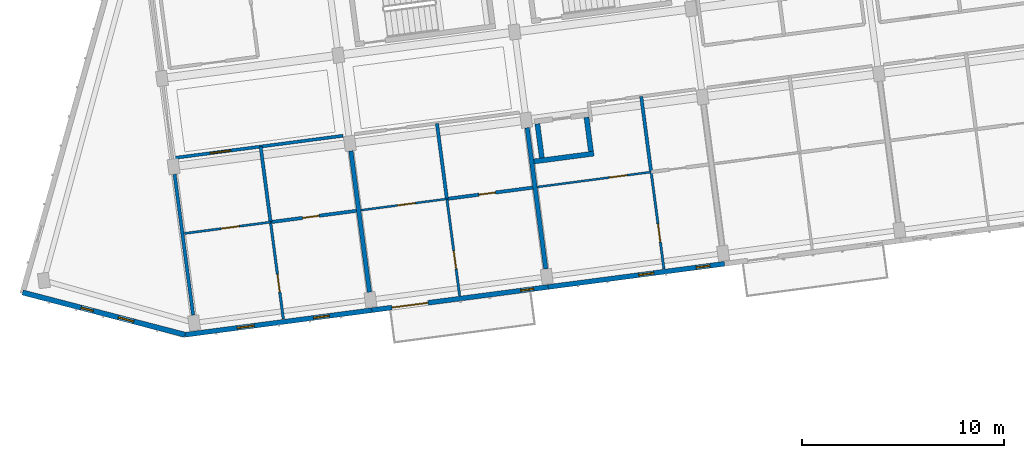
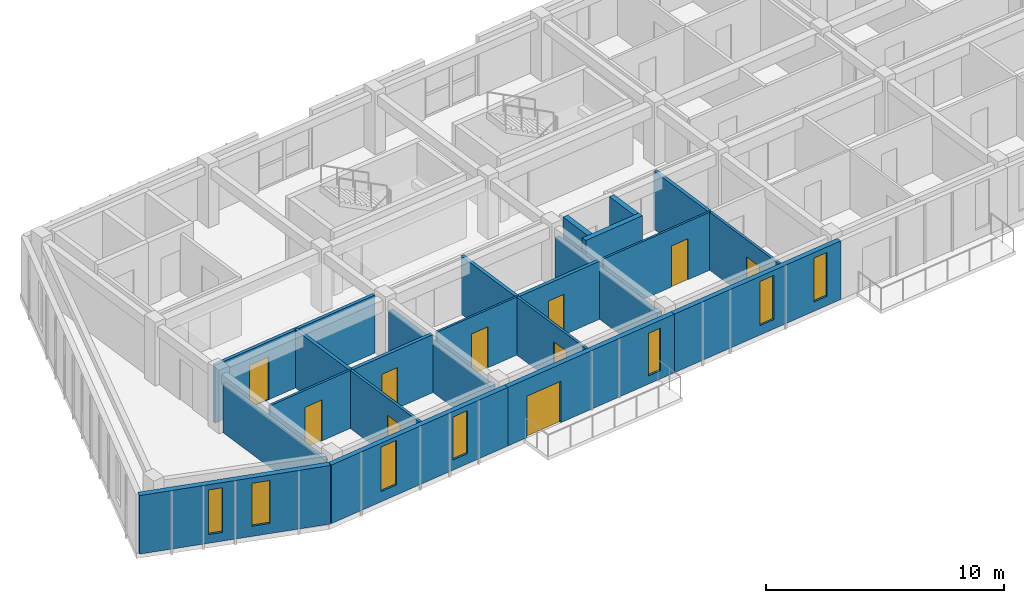
# One storey, part 21 of 68: 22 walls, 10 doors, 7 windows, 17 openings.
"""IFC4 building model written with IfcOpenShell, lengths in metres."""

import ifcopenshell
import ifcopenshell.guid

model = None  # the IFC model being written
_history = None  # IfcOwnerHistory: only IFC2X3 demands one
_inside = {}  # id of a spatial element -> (the spatial element, [elements in it])
_under = {}  # id of a project, library or spatial element -> (it, [spatial elements below it])
_declared = {}  # id of a project -> (the project, [libraries it declares])
_typed = {}  # id of a type object -> (the type object, [elements of that type])
_made_of = {}  # id of a material, layer set ... -> (it, [elements and type objects made of it])


def new_model(schema):
    """Start an empty IFC model of exactly this schema.

    Asked for "IFC4X3", IfcOpenShell would pick the latest addendum, in which some entities
    have other attributes; the version numbers below select the first issue.
    IFC2X3 requires an IfcOwnerHistory on every rooted entity: one is made here for all.
    """
    global model, _history
    if schema == "IFC4X3":
        model = ifcopenshell.file(schema_version=(4, 3, 0, 0))
    else:
        model = ifcopenshell.file(schema=schema)
    _inside.clear()
    _under.clear()
    _declared.clear()
    _typed.clear()
    _made_of.clear()
    _history = None
    if model.schema == "IFC2X3":
        org = make("IfcOrganization", Name="unknown")
        user = make(
            "IfcPersonAndOrganization",
            ThePerson=make("IfcPerson", FamilyName="unknown"),
            TheOrganization=org,
        )
        app = make(
            "IfcApplication",
            ApplicationDeveloper=org,
            Version="unknown",
            ApplicationFullName="unknown",
            ApplicationIdentifier="unknown",
        )
        _history = make(
            "IfcOwnerHistory",
            OwningUser=user,
            OwningApplication=app,
            ChangeAction="ADDED",
            CreationDate=0,
        )
    return model


def make(cls, **values):
    """One entity of the class cls with the attributes given. An attribute that is None is left unset."""
    return model.create_entity(
        cls, **{name: value for name, value in values.items() if value is not None}
    )


def rooted(cls, **values):
    """An entity with a GlobalId (a new one), such as an element, a storey or a relation."""
    return make(cls, GlobalId=ifcopenshell.guid.new(), OwnerHistory=_history, **values)


def si_unit(unit_type, name, prefix=None):
    """IfcSIUnit, for example si_unit("LENGTHUNIT", "METRE", prefix="MILLI")."""
    return make("IfcSIUnit", UnitType=unit_type, Prefix=prefix, Name=name)


def assignment(units):
    """IfcUnitAssignment: the units of a project."""
    return None if units is None else make("IfcUnitAssignment", Units=units)


def point(xyz):
    """IfcCartesianPoint."""
    return None if xyz is None else make("IfcCartesianPoint", Coordinates=xyz)


def direction(xyz):
    """IfcDirection."""
    return None if xyz is None else make("IfcDirection", DirectionRatios=xyz)


def frame(location, z_axis=None, x_axis=None):
    """IfcAxis2Placement3D, a coordinate frame: its origin and axes. An axis left out is left unset."""
    return make(
        "IfcAxis2Placement3D",
        Location=point(location),
        Axis=direction(z_axis),
        RefDirection=direction(x_axis),
    )


def frame_2d(location, x_axis=None):
    """IfcAxis2Placement2D, a coordinate frame in the plane: its origin and x axis."""
    return make(
        "IfcAxis2Placement2D", Location=point(location), RefDirection=direction(x_axis)
    )


def origin():
    """The frame at (0, 0, 0) with its axes left unset."""
    return frame((0.0, 0.0, 0.0))


def place(relative_to, where):
    """IfcLocalPlacement: puts the frame where relative to a parent placement (None: the world)."""
    return make(
        "IfcLocalPlacement", PlacementRelTo=relative_to, RelativePlacement=where
    )


def context(
    kind, dimensions, precision=None, world=None, true_north=None, identifier=None
):
    """IfcGeometricRepresentationContext, for example the 3D "Model" context."""
    return make(
        "IfcGeometricRepresentationContext",
        ContextIdentifier=identifier,
        ContextType=kind,
        CoordinateSpaceDimension=dimensions,
        Precision=precision,
        WorldCoordinateSystem=world,
        TrueNorth=true_north,
    )


def subcontext(parent, identifier, kind, view, scale=None):
    """IfcGeometricRepresentationSubContext, for example "Body" below "Model"."""
    return make(
        "IfcGeometricRepresentationSubContext",
        ContextIdentifier=identifier,
        ContextType=kind,
        ParentContext=parent,
        TargetScale=scale,
        TargetView=view,
    )


def project(units=None, contexts=None):
    """IfcProject with its units and contexts."""
    return rooted(
        "IfcProject",
        Name="project",
        RepresentationContexts=contexts,
        UnitsInContext=assignment(units),
    )


def spatial(cls, under=None, at=None, **own):
    """A site, building, storey or space (cls), placed at a placement, below another one or the project."""
    s = rooted(cls, ObjectPlacement=at, **own)
    if under is not None:
        _under.setdefault(under.id(), (under, []))[1].append(s)
    return s


def profile(cls, at=None, kind="AREA", **sizes):
    """A parametric profile (cls). Its sizes go by their IFC names, for example OverallWidth=200.0."""
    return make(cls, ProfileType=kind, Position=at, **sizes)


def rectangle(**sizes):
    """IfcRectangleProfileDef."""
    return profile("IfcRectangleProfileDef", **sizes)


def extrude(swept, where, along, depth):
    """IfcExtrudedAreaSolid: the profile swept, set in the frame where, extruded along a direction by depth."""
    return make(
        "IfcExtrudedAreaSolid",
        SweptArea=swept,
        Position=where,
        ExtrudedDirection=direction(along),
        Depth=depth,
    )


def shape(context_of_items, identifier, shape_type, items):
    """IfcShapeRepresentation: the items that make up one representation, for example the "Body"."""
    return make(
        "IfcShapeRepresentation",
        ContextOfItems=context_of_items,
        RepresentationIdentifier=identifier,
        RepresentationType=shape_type,
        Items=items,
    )


def material(Name=None, Category=None):
    """IfcMaterial."""
    return make("IfcMaterial", Name=Name, Category=Category)


def layer(
    of_material, thickness, ventilated=None, Name=None, Category=None, Priority=None
):
    """IfcMaterialLayer: one layer of a wall or slab, of a material (None: an air gap)."""
    return make(
        "IfcMaterialLayer",
        Material=of_material,
        LayerThickness=thickness,
        IsVentilated=ventilated,
        Name=Name,
        Category=Category,
        Priority=Priority,
    )


def layer_set(layers, Name=None):
    """IfcMaterialLayerSet."""
    return make("IfcMaterialLayerSet", MaterialLayers=layers, LayerSetName=Name)


def made_of(thing, what):
    """Note that an element or type object is made of a material, layer set ...; save() writes the relation."""
    if what is not None:
        _made_of.setdefault(what.id(), (what, []))[1].append(thing)
    return thing


def type_object(cls, material=None, **own):
    """A type object (cls), such as IfcWallType, which elements share."""
    return made_of(rooted(cls, **own), material)


def element(
    cls,
    number,
    at=None,
    inside=None,
    cuts=None,
    type_object=None,
    material=None,
    context=None,
    identifier="Body",
    shape_type=None,
    held_by="IfcProductDefinitionShape",
    body=None,
    shapes=None,
    **own,
):
    """One element of the class cls, such as IfcWall. Its Tag is "e" and its number.

    at: its placement. inside: the storey or other place that contains it. cuts: it is an
    opening in that element (IfcRelVoidsElement). A single representation is given by context,
    identifier, shape_type and body (its items); several are given by shapes. held_by: the class
    of the entity that holds the representations. save() writes the other relations.
    """
    e = rooted(cls, Tag="e%d" % number, ObjectPlacement=at, **own)
    if body is not None:
        shapes = [shape(context, identifier, shape_type, body)]
    if shapes is not None:
        e.Representation = make(held_by, Representations=shapes)
    if inside is not None:
        _inside.setdefault(inside.id(), (inside, []))[1].append(e)
    if cuts is not None:
        rooted(
            "IfcRelVoidsElement", RelatingBuildingElement=cuts, RelatedOpeningElement=e
        )
    if type_object is not None:
        _typed.setdefault(type_object.id(), (type_object, []))[1].append(e)
    return made_of(e, material)


def fill(opening, filler):
    """IfcRelFillsElement: the door or window that sits in an opening."""
    return rooted(
        "IfcRelFillsElement",
        RelatingOpeningElement=opening,
        RelatedBuildingElement=filler,
    )


def aggregate(whole, parts):
    """IfcRelAggregates: a whole, such as a stair, and the parts it consists of."""
    return rooted("IfcRelAggregates", RelatingObject=whole, RelatedObjects=parts)


def save(model, path):
    """Write the relations noted so far, then the file.

    IfcRelAggregates (storeys below a building ...), IfcRelContainedInSpatialStructure (elements
    in a storey), IfcRelDefinesByType, IfcRelAssociatesMaterial and IfcRelDeclares: one each for
    every whole, place, type object, material and project.
    """
    for whole, parts in _under.values():
        aggregate(whole, parts)
    for where, things in _inside.values():
        rooted(
            "IfcRelContainedInSpatialStructure",
            RelatedElements=things,
            RelatingStructure=where,
        )
    for kind, things in _typed.values():
        rooted("IfcRelDefinesByType", RelatedObjects=things, RelatingType=kind)
    for what, things in _made_of.values():
        rooted("IfcRelAssociatesMaterial", RelatedObjects=things, RelatingMaterial=what)
    for by, libraries in _declared.values():
        rooted("IfcRelDeclares", RelatingContext=by, RelatedDefinitions=libraries)
    model.write(path)


model = new_model("IFC4")

# Units and contexts
model_context = context("Model", 3, precision=1e-05, world=origin(), true_north=direction((0.0, 1.0)))
body_context = subcontext(model_context, "Body", "Model", "MODEL_VIEW")
ifc_project = project(units=[si_unit("LENGTHUNIT", "METRE"), si_unit("AREAUNIT", "SQUARE_METRE"), si_unit("VOLUMEUNIT", "CUBIC_METRE"), si_unit("PLANEANGLEUNIT", "RADIAN"), si_unit("MASSUNIT", "GRAM", prefix="KILO")], contexts=[model_context])

# Site, building, storey
site_placement = place(None, origin())
site = spatial("IfcSite", under=ifc_project, at=site_placement, CompositionType="ELEMENT")
building_placement = place(site_placement, origin())
building = spatial("IfcBuilding", under=site, at=building_placement, Name="Kestramere Prow Commons", CompositionType="ELEMENT")
storey_placement = place(building_placement, frame((0.0, 0.0, 18.14990234375)))
storey = spatial("IfcBuildingStorey", under=building, at=storey_placement, Name="L05", CompositionType="ELEMENT", Elevation=18.14990234375)

# Wall, openings, windows
ifc_material_1 = material(Name="Weathered Zinc-Titanium Standing-Seam Cladding")
ifc_layer_1 = layer(ifc_material_1, 0.260009765625)
ifc_layer_set_1 = layer_set([ifc_layer_1], Name="Weathered Zinc-Titanium Standing-Seam Cladding")
wall_type_1 = type_object("IfcWallType", Name="EW-PROW-260", PredefinedType="SOLIDWALL", material=ifc_layer_set_1)
wall_1_placement = place(storey_placement, frame((10.748046875, 71.410888671875, 0.0), z_axis=(0.0, 0.0, 1.0), x_axis=(-0.967694955113, 0.252123925577, 0.0)))
wall_1 = element("IfcWall", 1, at=wall_1_placement, inside=storey, type_object=wall_type_1, Name="Block A L05 PRW-S Facet Wall", PredefinedType="SOLIDWALL", context=body_context, shape_type="SweptSolid", body=[
    extrude(rectangle(XDim=8.305419921875, YDim=0.260009765625, at=frame_2d((4.15283203125, 0.0))), origin(), (0.0, 0.0, 1.0), 3.0),
])
opening_1_placement = place(wall_1_placement, frame((2.6298828125, 0.0, 0.52001953125)))
opening_1 = element("IfcOpeningElement", 2, at=opening_1_placement, cuts=wall_1, Name="Opening WN-11", PredefinedType="OPENING", context=body_context, shape_type="SweptSolid", body=[
    extrude(rectangle(XDim=0.780029296875, YDim=2.199951171875, at=frame_2d((0.39013671875, 1.10009765625))), frame((0.0, 0.14501953125, 0.0), z_axis=(0.0, -1.0, 0.0), x_axis=(1.0, 0.0, 0.0)), (0.0, 0.0, 1.0), 0.2900390625),
])
opening_2_placement = place(wall_1_placement, frame((4.6953125, 0.0, 0.449951171875)))
opening_2 = element("IfcOpeningElement", 3, at=opening_2_placement, cuts=wall_1, Name="Opening WN-03", PredefinedType="OPENING", context=body_context, shape_type="SweptSolid", body=[
    extrude(rectangle(XDim=0.6201171875, YDim=2.280029296875, at=frame_2d((0.31005859375, 1.14013671875))), frame((0.0, 0.14501953125, 0.0), z_axis=(0.0, -1.0, 0.0), x_axis=(1.0, 0.0, 0.0)), (0.0, 0.0, 1.0), 0.2900390625),
])
ifc_material_2 = material(Name="Low-E Laminated Double Glazing", Category="glass")
window_type_1 = type_object("IfcWindowType", Name="WN-NAR-620A", PartitioningType="SINGLE_PANEL", PredefinedType="WINDOW", material=ifc_material_2)
window_1_placement = place(opening_2_placement, origin())
window_1 = element("IfcWindow", 4, at=window_1_placement, inside=storey, type_object=window_type_1, Name="WN-A-L05-PRW-S-1", OverallHeight=2.280029296875, OverallWidth=0.6201171875, PartitioningType="SINGLE_PANEL", PredefinedType="WINDOW", context=body_context, shape_type="SweptSolid", body=[
    extrude(rectangle(XDim=0.6201171875, YDim=2.280029296875, at=frame_2d((0.31005859375, 1.14013671875))), frame((0.0, 0.030029296875, 0.0), z_axis=(0.0, -1.0, 0.0), x_axis=(1.0, 0.0, 0.0)), (0.0, 0.0, 1.0), 0.06005859375),
])
fill(opening_2, window_1)
window_type_2 = type_object("IfcWindowType", Name="WN-NAR-780A", PartitioningType="SINGLE_PANEL", PredefinedType="WINDOW", material=ifc_material_2)
window_2_placement = place(opening_1_placement, origin())
window_2 = element("IfcWindow", 5, at=window_2_placement, inside=storey, type_object=window_type_2, Name="WN-A-L05-PRW-S-0", OverallHeight=2.199951171875, OverallWidth=0.780029296875, PartitioningType="SINGLE_PANEL", PredefinedType="WINDOW", context=body_context, shape_type="SweptSolid", body=[
    extrude(rectangle(XDim=0.780029296875, YDim=2.199951171875, at=frame_2d((0.39013671875, 1.10009765625))), frame((0.0, 0.030029296875, 0.0), z_axis=(0.0, -1.0, 0.0), x_axis=(1.0, 0.0, 0.0)), (0.0, 0.0, 1.0), 0.06005859375),
])
fill(opening_1, window_2)

ifc_material_3 = material(Name="Fluoropolymer Standing-Seam Zinc-Aluminium Cladding", Category="aluminium")
ifc_layer_2 = layer(ifc_material_3, 0.239990234375)
ifc_layer_set_2 = layer_set([ifc_layer_2], Name="Fluoropolymer Standing-Seam Zinc-Aluminium Cladding")
wall_type_2 = type_object("IfcWallType", Name="EW-SEAM-240", PredefinedType="SOLIDWALL", material=ifc_layer_set_2)
wall_2_placement = place(storey_placement, frame((19.9931640625, 72.628173828125, 0.0), z_axis=(0.0, 0.0, 1.0), x_axis=(-0.991442885224, -0.130541201693, 0.0)))
wall_2 = element("IfcWall", 6, at=wall_2_placement, inside=storey, type_object=wall_type_2, Name="Block A L05 South Standing-Seam Wall 1", PredefinedType="SOLIDWALL", context=body_context, shape_type="SweptSolid", body=[
    extrude(rectangle(XDim=9.324951171875, YDim=0.239990234375, at=frame_2d((4.66259765625, 0.0))), origin(), (0.0, 0.0, 1.0), 3.0),
])
opening_3_placement = place(wall_2_placement, frame((2.12939453125, 0.0, 0.52001953125)))
opening_3 = element("IfcOpeningElement", 7, at=opening_3_placement, cuts=wall_2, Name="Opening WN-11", PredefinedType="OPENING", context=body_context, shape_type="SweptSolid", body=[
    extrude(rectangle(XDim=0.780029296875, YDim=2.199951171875, at=frame_2d((0.39013671875, 1.10009765625))), frame((0.0, 0.135009765625, 0.0), z_axis=(0.0, -1.0, 0.0), x_axis=(1.0, 0.0, 0.0)), (0.0, 0.0, 1.0), 0.27001953125),
])
opening_4_placement = place(wall_2_placement, frame((5.8798828125, 0.0, 0.52001953125)))
opening_4 = element("IfcOpeningElement", 8, at=opening_4_placement, cuts=wall_2, Name="Opening WN-14", PredefinedType="OPENING", context=body_context, shape_type="SweptSolid", body=[
    extrude(rectangle(XDim=0.840087890625, YDim=2.280029296875, at=frame_2d((0.419921875, 1.14013671875))), frame((0.0, 0.135009765625, 0.0), z_axis=(0.0, -1.0, 0.0), x_axis=(1.0, 0.0, 0.0)), (0.0, 0.0, 1.0), 0.27001953125),
])
window_3_placement = place(opening_3_placement, origin())
window_3 = element("IfcWindow", 9, at=window_3_placement, inside=storey, type_object=window_type_2, Name="WN-A-L05-S-0-00", OverallHeight=2.199951171875, OverallWidth=0.780029296875, PartitioningType="SINGLE_PANEL", PredefinedType="WINDOW", context=body_context, shape_type="SweptSolid", body=[
    extrude(rectangle(XDim=0.780029296875, YDim=2.199951171875, at=frame_2d((0.39013671875, 1.10009765625))), frame((0.0, 0.030029296875, 0.0), z_axis=(0.0, -1.0, 0.0), x_axis=(1.0, 0.0, 0.0)), (0.0, 0.0, 1.0), 0.06005859375),
])
fill(opening_3, window_3)
window_type_3 = type_object("IfcWindowType", Name="WN-NAR-840A", PartitioningType="DOUBLE_PANEL_VERTICAL", PredefinedType="WINDOW", material=ifc_material_2)
window_4_placement = place(opening_4_placement, origin())
window_4 = element("IfcWindow", 10, at=window_4_placement, inside=storey, type_object=window_type_3, Name="WN-A-L05-S-0-10", OverallHeight=2.280029296875, OverallWidth=0.840087890625, PartitioningType="SINGLE_PANEL", PredefinedType="WINDOW", context=body_context, shape_type="SweptSolid", body=[
    extrude(rectangle(XDim=0.840087890625, YDim=2.280029296875, at=frame_2d((0.419921875, 1.14013671875))), frame((0.0, 0.030029296875, 0.0), z_axis=(0.0, -1.0, 0.0), x_axis=(1.0, 0.0, 0.0)), (0.0, 0.0, 1.0), 0.06005859375),
])
fill(opening_4, window_4)

# Wall, openings, door, window
wall_3_placement = place(storey_placement, frame((28.718017578125, 73.77685546875, 0.0), z_axis=(0.0, 0.0, 1.0), x_axis=(-0.991444377792, -0.130529865336, 0.0)))
wall_3 = element("IfcWall", 11, at=wall_3_placement, inside=storey, type_object=wall_type_2, Name="Block A L05 South Standing-Seam Wall 2", PredefinedType="SOLIDWALL", context=body_context, shape_type="SweptSolid", body=[
    extrude(rectangle(XDim=8.800048828125, YDim=0.239990234375, at=frame_2d((4.39990234375, 0.0))), origin(), (0.0, 0.0, 1.0), 3.0),
])
opening_5_placement = place(wall_3_placement, frame((5.9970703125, 0.0, 0.0)))
opening_5 = element("IfcOpeningElement", 12, at=opening_5_placement, cuts=wall_3, Name="Opening GD-BAL-02", PredefinedType="OPENING", context=body_context, shape_type="SweptSolid", body=[
    extrude(rectangle(XDim=1.800048828125, YDim=2.1201171875, at=frame_2d((0.89990234375, 1.06005859375))), frame((0.0, 0.135009765625, 0.0), z_axis=(0.0, -1.0, 0.0), x_axis=(1.0, 0.0, 0.0)), (0.0, 0.0, 1.0), 0.27001953125),
])
opening_6_placement = place(wall_3_placement, frame((0.72998046875, 0.0, 0.419921875)))
opening_6 = element("IfcOpeningElement", 13, at=opening_6_placement, cuts=wall_3, Name="Opening WN-04", PredefinedType="OPENING", context=body_context, shape_type="SweptSolid", body=[
    extrude(rectangle(XDim=0.639892578125, YDim=2.179931640625, at=frame_2d((0.31982421875, 1.08984375))), frame((0.0, 0.135009765625, 0.0), z_axis=(0.0, -1.0, 0.0), x_axis=(1.0, 0.0, 0.0)), (0.0, 0.0, 1.0), 0.27001953125),
])
ifc_material_4 = material(Name="Thermally-Broken Anodised Aluminium Glazed", Category="aluminium")
door_type_1 = type_object("IfcDoorType", Name="GD-BAL-1800", OperationType="SLIDING_TO_LEFT", PredefinedType="DOOR", material=ifc_material_4)
door_1_placement = place(opening_5_placement, origin())
door_1 = element("IfcDoor", 14, at=door_1_placement, inside=storey, type_object=door_type_1, Name="Block A L05 Balcony Door 2", OperationType="SLIDING_TO_LEFT", OverallHeight=2.1201171875, OverallWidth=1.800048828125, PredefinedType="DOOR", context=body_context, shape_type="SweptSolid", body=[
    extrude(rectangle(XDim=1.800048828125, YDim=2.1201171875, at=frame_2d((0.89990234375, 1.06005859375))), frame((0.0, 0.02490234375, 0.0), z_axis=(0.0, -1.0, 0.0), x_axis=(1.0, 0.0, 0.0)), (0.0, 0.0, 1.0), 0.050048828125),
])
fill(opening_5, door_1)
window_type_4 = type_object("IfcWindowType", Name="WN-NAR-640A", PartitioningType="SINGLE_PANEL", PredefinedType="WINDOW", material=ifc_material_2)
window_5_placement = place(opening_6_placement, origin())
window_5 = element("IfcWindow", 15, at=window_5_placement, inside=storey, type_object=window_type_4, Name="WN-A-L05-SR-1", OverallHeight=2.179931640625, OverallWidth=0.639892578125, PartitioningType="SINGLE_PANEL", PredefinedType="WINDOW", context=body_context, shape_type="SweptSolid", body=[
    extrude(rectangle(XDim=0.639892578125, YDim=2.179931640625, at=frame_2d((0.31982421875, 1.08984375))), frame((0.0, 0.030029296875, 0.0), z_axis=(0.0, -1.0, 0.0), x_axis=(1.0, 0.0, 0.0)), (0.0, 0.0, 1.0), 0.06005859375),
])
fill(opening_6, window_5)

# Wall, openings, windows
wall_4_placement = place(storey_placement, frame((37.442626953125, 74.92529296875, 0.0), z_axis=(0.0, 0.0, 1.0), x_axis=(-0.991447495205, -0.130506184728, 0.0)))
wall_4 = element("IfcWall", 16, at=wall_4_placement, inside=storey, type_object=wall_type_2, Name="Block A L05 South Standing-Seam Wall 3", PredefinedType="SOLIDWALL", context=body_context, shape_type="SweptSolid", body=[
    extrude(rectangle(XDim=8.7998046875, YDim=0.239990234375, at=frame_2d((4.39990234375, 0.0))), origin(), (0.0, 0.0, 1.0), 3.0),
])
opening_7_placement = place(wall_4_placement, frame((0.726318359375, 0.0, 0.47998046875)))
opening_7 = element("IfcOpeningElement", 17, at=opening_7_placement, cuts=wall_4, Name="Opening WN-06", PredefinedType="OPENING", context=body_context, shape_type="SweptSolid", body=[
    extrude(rectangle(XDim=0.679931640625, YDim=2.239990234375, at=frame_2d((0.33984375, 1.1201171875))), frame((0.0, 0.135009765625, 0.0), z_axis=(0.0, -1.0, 0.0), x_axis=(1.0, 0.0, 0.0)), (0.0, 0.0, 1.0), 0.27001953125),
])
opening_8_placement = place(wall_4_placement, frame((3.53076171875, 0.0, 0.47998046875)))
opening_8 = element("IfcOpeningElement", 18, at=opening_8_placement, cuts=wall_4, Name="Opening WN-09", PredefinedType="OPENING", context=body_context, shape_type="SweptSolid", body=[
    extrude(rectangle(XDim=0.739990234375, YDim=2.260009765625, at=frame_2d((0.3701171875, 1.1298828125))), frame((0.0, 0.135009765625, 0.0), z_axis=(0.0, -1.0, 0.0), x_axis=(1.0, 0.0, 0.0)), (0.0, 0.0, 1.0), 0.27001953125),
])
window_type_5 = type_object("IfcWindowType", Name="WN-NAR-680A", PartitioningType="SINGLE_PANEL", PredefinedType="WINDOW", material=ifc_material_2)
window_6_placement = place(opening_7_placement, origin())
window_6 = element("IfcWindow", 19, at=window_6_placement, inside=storey, type_object=window_type_5, Name="WN-A-L05-S-2-00", OverallHeight=2.239990234375, OverallWidth=0.679931640625, PartitioningType="SINGLE_PANEL", PredefinedType="WINDOW", context=body_context, shape_type="SweptSolid", body=[
    extrude(rectangle(XDim=0.679931640625, YDim=2.239990234375, at=frame_2d((0.33984375, 1.1201171875))), frame((0.0, 0.030029296875, 0.0), z_axis=(0.0, -1.0, 0.0), x_axis=(1.0, 0.0, 0.0)), (0.0, 0.0, 1.0), 0.06005859375),
])
fill(opening_7, window_6)
window_type_6 = type_object("IfcWindowType", Name="WN-NAR-740A", PartitioningType="SINGLE_PANEL", PredefinedType="WINDOW", material=ifc_material_2)
window_7_placement = place(opening_8_placement, origin())
window_7 = element("IfcWindow", 20, at=window_7_placement, inside=storey, type_object=window_type_6, Name="WN-A-L05-S-2-10", OverallHeight=2.260009765625, OverallWidth=0.739990234375, PartitioningType="SINGLE_PANEL", PredefinedType="WINDOW", context=body_context, shape_type="SweptSolid", body=[
    extrude(rectangle(XDim=0.739990234375, YDim=2.260009765625, at=frame_2d((0.3701171875, 1.1298828125))), frame((0.0, 0.030029296875, 0.0), z_axis=(0.0, -1.0, 0.0), x_axis=(1.0, 0.0, 0.0)), (0.0, 0.0, 1.0), 0.06005859375),
])
fill(opening_8, window_7)

# Wall, opening, door
ifc_material_5 = material(Name="Fire-Rated Calcium Silicate Wall")
ifc_layer_3 = layer(ifc_material_5, 0.155029296875)
ifc_layer_set_3 = layer_set([ifc_layer_3], Name="Fire-Rated Calcium Silicate Wall")
wall_type_3 = type_object("IfcWallType", Name="W-FIRE-150", PredefinedType="PARTITIONING", material=ifc_layer_set_3)
wall_5_placement = place(storey_placement, frame((10.196533203125, 80.158935546875, 0.0), z_axis=(0.0, 0.0, 1.0), x_axis=(0.991448685923, 0.130497138599, 0.0)))
wall_5 = element("IfcWall", 21, at=wall_5_placement, inside=storey, type_object=wall_type_3, Name="Interior Partition PW-A-L05-CS-0", PredefinedType="PARTITIONING", context=body_context, shape_type="SweptSolid", body=[
    extrude(rectangle(XDim=8.445068359375, YDim=0.155029296875, at=frame_2d((4.22265625, 0.0))), origin(), (0.0, 0.0, 1.0), 2.97021484375),
])
opening_9_placement = place(wall_5_placement, frame((1.820068359375, 0.0, 0.0)))
opening_9 = element("IfcOpeningElement", 22, at=opening_9_placement, cuts=wall_5, Name="Opening ID-05", PredefinedType="OPENING", context=body_context, shape_type="SweptSolid", body=[
    extrude(rectangle(XDim=1.02001953125, YDim=2.199951171875, at=frame_2d((0.510009765625, 1.10009765625))), frame((0.0, 0.092529296875, 0.0), z_axis=(0.0, -1.0, 0.0), x_axis=(1.0, 0.0, 0.0)), (0.0, 0.0, 1.0), 0.18505859375),
])
ifc_material_6 = material(Name="Hardwood Fire-Rated Flat Entrance Door", Category="wood")
door_type_2 = type_object("IfcDoorType", Name="FD-ENT-02", OperationType="NOTDEFINED", PredefinedType="DOOR", material=ifc_material_6)
door_2_placement = place(opening_9_placement, origin())
door_2 = element("IfcDoor", 23, at=door_2_placement, inside=storey, type_object=door_type_2, Name="Interior Door DR-A-L05-ENT-S0", OperationType="SINGLE_SWING_RIGHT", OverallHeight=2.199951171875, OverallWidth=1.02001953125, PredefinedType="DOOR", context=body_context, shape_type="SweptSolid", body=[
    extrude(rectangle(XDim=1.02001953125, YDim=2.199951171875, at=frame_2d((0.510009765625, 1.10009765625))), frame((0.0, 0.02490234375, 0.0), z_axis=(0.0, -1.0, 0.0), x_axis=(1.0, 0.0, 0.0)), (0.0, 0.0, 1.0), 0.050048828125),
])
fill(opening_9, door_2)

# Walls
ifc_material_7 = material(Name="Concrete C40/50", Category="concrete")
ifc_layer_4 = layer(ifc_material_7, 0.25)
ifc_layer_set_4 = layer_set([ifc_layer_4], Name="Concrete C40/50")
wall_type_4 = type_object("IfcWallType", Name="W-HS-250", PredefinedType="SHEAR", material=ifc_layer_set_4)
wall_6_placement = place(storey_placement, frame((28.01123046875, 79.987548828125, 0.0), z_axis=(0.0, 0.0, 1.0), x_axis=(0.991439837467, 0.130564346904, 0.0)))
element("IfcWall", 24, at=wall_6_placement, inside=storey, type_object=wall_type_4, Name="Block A L05 Household Shelter South Wall", PredefinedType="SHEAR", context=body_context, shape_type="SweptSolid", body=[
    extrude(rectangle(XDim=2.989990234375, YDim=0.25, at=frame_2d((1.4951171875, 0.0))), origin(), (0.0, 0.0, 1.0), 3.25),
])
wall_7_placement = place(storey_placement, frame((28.40625, 80.165771484375, 0.0), z_axis=(0.0, 0.0, 1.0), x_axis=(-0.130413643681, 0.991459672171, 0.0)))
element("IfcWall", 25, at=wall_7_placement, inside=storey, type_object=wall_type_4, Name="Block A L05 Household Shelter W Wall", PredefinedType="SHEAR", context=body_context, shape_type="SweptSolid", body=[
    extrude(rectangle(XDim=1.69970703125, YDim=0.25, at=frame_2d((0.849853515625, 0.0))), origin(), (0.0, 0.0, 1.0), 3.25),
])
wall_8_placement = place(storey_placement, frame((30.83544921875, 80.485595703125, 0.0), z_axis=(0.0, 0.0, 1.0), x_axis=(-0.1305548243, 0.991441091468, 0.0)))
element("IfcWall", 26, at=wall_8_placement, inside=storey, type_object=wall_type_4, Name="Block A L05 Household Shelter E Wall", PredefinedType="SHEAR", context=body_context, shape_type="SweptSolid", body=[
    extrude(rectangle(XDim=1.699951171875, YDim=0.25, at=frame_2d((0.85009765625, 0.0))), origin(), (0.0, 0.0, 1.0), 3.25),
])

# Wall, opening, door
ifc_material_8 = material(Name="Gypsum Acoustic Drywall")
ifc_layer_5 = layer(ifc_material_8, 0.10009765625)
ifc_layer_set_5 = layer_set([ifc_layer_5], Name="Gypsum Acoustic Drywall")
wall_type_5 = type_object("IfcWallType", Name="W-PART-100", PredefinedType="PARTITIONING", material=ifc_layer_set_5)
wall_9_placement = place(storey_placement, frame((19.4580078125, 77.57568359375, 0.0), z_axis=(0.0, 0.0, 1.0), x_axis=(0.991451386343, 0.130476620581, 0.0)))
wall_9 = element("IfcWall", 27, at=wall_9_placement, inside=storey, type_object=wall_type_5, Name="Interior Partition PW-A-L05-MIDS1-1", PredefinedType="PARTITIONING", context=body_context, shape_type="SweptSolid", body=[
    extrude(rectangle(XDim=4.284912109375, YDim=0.10009765625, at=frame_2d((2.142578125, 0.0))), origin(), (0.0, 0.0, 1.0), 2.97021484375),
])
opening_10_placement = place(wall_9_placement, frame((1.824951171875, 0.0, 0.0)))
opening_10 = element("IfcOpeningElement", 28, at=opening_10_placement, cuts=wall_9, Name="Opening ID-10", PredefinedType="OPENING", context=body_context, shape_type="SweptSolid", body=[
    extrude(rectangle(XDim=0.8798828125, YDim=2.10009765625, at=frame_2d((0.43994140625, 1.050048828125))), frame((0.0, 0.06494140625, 0.0), z_axis=(0.0, -1.0, 0.0), x_axis=(1.0, 0.0, 0.0)), (0.0, 0.0, 1.0), 0.130126953125),
])
ifc_material_9 = material(Name="Engineered Timber Bedroom Door", Category="wood")
door_type_3 = type_object("IfcDoorType", Name="D-RM-03", OperationType="NOTDEFINED", PredefinedType="DOOR", material=ifc_material_9)
door_3_placement = place(opening_10_placement, origin())
door_3 = element("IfcDoor", 29, at=door_3_placement, inside=storey, type_object=door_type_3, Name="Interior Door DR-A-L05-KL-S1", OperationType="SINGLE_SWING_RIGHT", OverallHeight=2.10009765625, OverallWidth=0.8798828125, PredefinedType="DOOR", context=body_context, shape_type="SweptSolid", body=[
    extrude(rectangle(XDim=0.8798828125, YDim=2.10009765625, at=frame_2d((0.43994140625, 1.050048828125))), frame((0.0, 0.02490234375, 0.0), z_axis=(0.0, -1.0, 0.0), x_axis=(1.0, 0.0, 0.0)), (0.0, 0.0, 1.0), 0.050048828125),
])
fill(opening_10, door_3)

wall_10_placement = place(storey_placement, frame((28.1826171875, 78.72412109375, 0.0), z_axis=(0.0, 0.0, 1.0), x_axis=(0.991443173156, 0.130539014865, 0.0)))
wall_10 = element("IfcWall", 30, at=wall_10_placement, inside=storey, type_object=wall_type_5, Name="Interior Partition PW-A-L05-MIDS1-2", PredefinedType="PARTITIONING", context=body_context, shape_type="SweptSolid", body=[
    extrude(rectangle(XDim=5.679931640625, YDim=0.10009765625, at=frame_2d((2.83984375, 0.0))), origin(), (0.0, 0.0, 1.0), 2.97021484375),
])
opening_11_placement = place(wall_10_placement, frame((3.594970703125, 0.0, 0.0)))
opening_11 = element("IfcOpeningElement", 31, at=opening_11_placement, cuts=wall_10, Name="Opening ID-10", PredefinedType="OPENING", context=body_context, shape_type="SweptSolid", body=[
    extrude(rectangle(XDim=0.8798828125, YDim=2.10009765625, at=frame_2d((0.43994140625, 1.050048828125))), frame((0.0, 0.06494140625, 0.0), z_axis=(0.0, -1.0, 0.0), x_axis=(1.0, 0.0, 0.0)), (0.0, 0.0, 1.0), 0.130126953125),
])
door_4_placement = place(opening_11_placement, origin())
door_4 = element("IfcDoor", 32, at=door_4_placement, inside=storey, type_object=door_type_3, Name="Interior Door DR-A-L05-KL-S2", OperationType="SINGLE_SWING_RIGHT", OverallHeight=2.10009765625, OverallWidth=0.8798828125, PredefinedType="DOOR", context=body_context, shape_type="SweptSolid", body=[
    extrude(rectangle(XDim=0.8798828125, YDim=2.10009765625, at=frame_2d((0.43994140625, 1.050048828125))), frame((0.0, 0.02490234375, 0.0), z_axis=(0.0, -1.0, 0.0), x_axis=(1.0, 0.0, 0.0)), (0.0, 0.0, 1.0), 0.050048828125),
])
fill(opening_11, door_4)

ifc_layer_6 = layer(ifc_material_8, 0.110107421875)
ifc_layer_set_6 = layer_set([ifc_layer_6], Name="Gypsum Acoustic Drywall")
wall_type_6 = type_object("IfcWallType", Name="W-PART-110", PredefinedType="PARTITIONING", material=ifc_layer_set_6)
wall_11_placement = place(storey_placement, frame((10.70849609375, 76.423583984375, 0.0), z_axis=(0.0, 0.0, 1.0), x_axis=(0.991438863922, 0.130571739306, 0.0)))
wall_11 = element("IfcWall", 33, at=wall_11_placement, inside=storey, type_object=wall_type_6, Name="Interior Partition PW-A-L05-MIDS1-0", PredefinedType="PARTITIONING", context=body_context, shape_type="SweptSolid", body=[
    extrude(rectangle(XDim=4.309814453125, YDim=0.110107421875, at=frame_2d((2.15478515625, 0.0))), origin(), (0.0, 0.0, 1.0), 2.97021484375),
])
opening_12_placement = place(wall_11_placement, frame((1.85009765625, 0.0, 0.0)))
opening_12 = element("IfcOpeningElement", 34, at=opening_12_placement, cuts=wall_11, Name="Opening ID-08", PredefinedType="OPENING", context=body_context, shape_type="SweptSolid", body=[
    extrude(rectangle(XDim=0.89990234375, YDim=2.10009765625, at=frame_2d((0.449951171875, 1.050048828125))), frame((0.0, 0.070068359375, 0.0), z_axis=(0.0, -1.0, 0.0), x_axis=(1.0, 0.0, 0.0)), (0.0, 0.0, 1.0), 0.14013671875),
])
ifc_material_10 = material(Name="Engineered Timber Flush Door", Category="wood")
door_type_4 = type_object("IfcDoorType", Name="D-RM-01", OperationType="NOTDEFINED", PredefinedType="DOOR", material=ifc_material_10)
door_5_placement = place(opening_12_placement, origin())
door_5 = element("IfcDoor", 35, at=door_5_placement, inside=storey, type_object=door_type_4, Name="Interior Door DR-A-L05-KL-S0", OperationType="SINGLE_SWING_RIGHT", OverallHeight=2.10009765625, OverallWidth=0.89990234375, PredefinedType="DOOR", context=body_context, shape_type="SweptSolid", body=[
    extrude(rectangle(XDim=0.89990234375, YDim=2.10009765625, at=frame_2d((0.449951171875, 1.050048828125))), frame((0.0, 0.02490234375, 0.0), z_axis=(0.0, -1.0, 0.0), x_axis=(1.0, 0.0, 0.0)), (0.0, 0.0, 1.0), 0.050048828125),
])
fill(opening_12, door_5)

ifc_material_11 = material(Name="Lightweight Blockwork and Plaster", Category="masonry")
ifc_layer_7 = layer(ifc_material_11, 0.1201171875)
ifc_layer_set_7 = layer_set([ifc_layer_7], Name="Lightweight Blockwork and Plaster")
wall_type_7 = type_object("IfcWallType", Name="W-PART-120", PredefinedType="PARTITIONING", material=ifc_layer_set_7)
wall_12_placement = place(storey_placement, frame((24.337890625, 73.336181640625, 0.0), z_axis=(0.0, 0.0, 1.0), x_axis=(-0.130494962676, 0.991448972321, 0.0)))
wall_12 = element("IfcWall", 36, at=wall_12_placement, inside=storey, type_object=wall_type_7, Name="Interior Partition PW-A-L05-LB-S1", PredefinedType="PARTITIONING", context=body_context, shape_type="SweptSolid", body=[
    extrude(rectangle(XDim=4.840087890625, YDim=0.1201171875, at=frame_2d((2.419921875, 0.0))), origin(), (0.0, 0.0, 1.0), 2.97021484375),
])
opening_13_placement = place(wall_12_placement, frame((1.35009765625, 0.0, 0.0)))
opening_13 = element("IfcOpeningElement", 37, at=opening_13_placement, cuts=wall_12, Name="Opening ID-08", PredefinedType="OPENING", context=body_context, shape_type="SweptSolid", body=[
    extrude(rectangle(XDim=0.89990234375, YDim=2.10009765625, at=frame_2d((0.449951171875, 1.050048828125))), frame((0.0, 0.074951171875, 0.0), z_axis=(0.0, -1.0, 0.0), x_axis=(1.0, 0.0, 0.0)), (0.0, 0.0, 1.0), 0.150146484375),
])
door_6_placement = place(opening_13_placement, origin())
door_6 = element("IfcDoor", 38, at=door_6_placement, inside=storey, type_object=door_type_4, Name="Interior Door DR-A-L05-BED-S1", OperationType="SINGLE_SWING_RIGHT", OverallHeight=2.10009765625, OverallWidth=0.89990234375, PredefinedType="DOOR", context=body_context, shape_type="SweptSolid", body=[
    extrude(rectangle(XDim=0.89990234375, YDim=2.10009765625, at=frame_2d((0.449951171875, 1.050048828125))), frame((0.0, 0.02490234375, 0.0), z_axis=(0.0, -1.0, 0.0), x_axis=(1.0, 0.0, 0.0)), (0.0, 0.0, 1.0), 0.050048828125),
])
fill(opening_13, door_6)

wall_13_placement = place(storey_placement, frame((34.44580078125, 74.6669921875, 0.0), z_axis=(0.0, 0.0, 1.0), x_axis=(-0.130544545786, 0.991442444908, 0.0)))
wall_13 = element("IfcWall", 39, at=wall_13_placement, inside=storey, type_object=wall_type_7, Name="Interior Partition PW-A-L05-LB-S2", PredefinedType="PARTITIONING", context=body_context, shape_type="SweptSolid", body=[
    extrude(rectangle(XDim=4.840087890625, YDim=0.1201171875, at=frame_2d((2.419921875, 0.0))), origin(), (0.0, 0.0, 1.0), 2.97021484375),
])
opening_14_placement = place(wall_13_placement, frame((1.35009765625, 0.0, 0.0)))
opening_14 = element("IfcOpeningElement", 40, at=opening_14_placement, cuts=wall_13, Name="Opening ID-08", PredefinedType="OPENING", context=body_context, shape_type="SweptSolid", body=[
    extrude(rectangle(XDim=0.89990234375, YDim=2.10009765625, at=frame_2d((0.449951171875, 1.050048828125))), frame((0.0, 0.074951171875, 0.0), z_axis=(0.0, -1.0, 0.0), x_axis=(1.0, 0.0, 0.0)), (0.0, 0.0, 1.0), 0.150146484375),
])
door_7_placement = place(opening_14_placement, origin())
door_7 = element("IfcDoor", 41, at=door_7_placement, inside=storey, type_object=door_type_4, Name="Interior Door DR-A-L05-BED-S2", OperationType="SINGLE_SWING_LEFT", OverallHeight=2.10009765625, OverallWidth=0.89990234375, PredefinedType="DOOR", context=body_context, shape_type="SweptSolid", body=[
    extrude(rectangle(XDim=0.89990234375, YDim=2.10009765625, at=frame_2d((0.449951171875, 1.050048828125))), frame((0.0, 0.02490234375, 0.0), z_axis=(0.0, -1.0, 0.0), x_axis=(1.0, 0.0, 0.0)), (0.0, 0.0, 1.0), 0.050048828125),
])
fill(opening_14, door_7)

ifc_layer_8 = layer(ifc_material_11, 0.1298828125)
ifc_layer_set_8 = layer_set([ifc_layer_8], Name="Lightweight Blockwork and Plaster")
wall_type_8 = type_object("IfcWallType", Name="W-PART-130", PredefinedType="PARTITIONING", material=ifc_layer_set_8)
wall_14_placement = place(storey_placement, frame((15.61328125, 72.187744140625, 0.0), z_axis=(0.0, 0.0, 1.0), x_axis=(-0.130544545786, 0.991442444908, 0.0)))
wall_14 = element("IfcWall", 42, at=wall_14_placement, inside=storey, type_object=wall_type_8, Name="Interior Partition PW-A-L05-LB-S0", PredefinedType="PARTITIONING", context=body_context, shape_type="SweptSolid", body=[
    extrude(rectangle(XDim=4.840087890625, YDim=0.1298828125, at=frame_2d((2.419921875, 0.0))), origin(), (0.0, 0.0, 1.0), 2.97021484375),
])
opening_15_placement = place(wall_14_placement, frame((1.35009765625, 0.0, 0.0)))
opening_15 = element("IfcOpeningElement", 43, at=opening_15_placement, cuts=wall_14, Name="Opening ID-10", PredefinedType="OPENING", context=body_context, shape_type="SweptSolid", body=[
    extrude(rectangle(XDim=0.8798828125, YDim=2.10009765625, at=frame_2d((0.43994140625, 1.050048828125))), frame((0.0, 0.079833984375, 0.0), z_axis=(0.0, -1.0, 0.0), x_axis=(1.0, 0.0, 0.0)), (0.0, 0.0, 1.0), 0.159912109375),
])
door_8_placement = place(opening_15_placement, origin())
door_8 = element("IfcDoor", 44, at=door_8_placement, inside=storey, type_object=door_type_3, Name="Interior Door DR-A-L05-BED-S0", OperationType="SINGLE_SWING_LEFT", OverallHeight=2.10009765625, OverallWidth=0.8798828125, PredefinedType="DOOR", context=body_context, shape_type="SweptSolid", body=[
    extrude(rectangle(XDim=0.8798828125, YDim=2.10009765625, at=frame_2d((0.43994140625, 1.050048828125))), frame((0.0, 0.02490234375, 0.0), z_axis=(0.0, -1.0, 0.0), x_axis=(1.0, 0.0, 0.0)), (0.0, 0.0, 1.0), 0.050048828125),
])
fill(opening_15, door_8)

# Wall
ifc_material_12 = material(Name="Waterproof Sanitary Masonry Wall", Category="masonry")
ifc_layer_9 = layer(ifc_material_12, 0.1650390625)
ifc_layer_set_9 = layer_set([ifc_layer_9], Name="Waterproof Sanitary Masonry Wall")
wall_type_9 = type_object("IfcWallType", Name="W-PLUMB-150", PredefinedType="PLUMBINGWALL", material=ifc_layer_set_9)
wall_15_placement = place(storey_placement, frame((11.149658203125, 72.381591796875, 0.0), z_axis=(0.0, 0.0, 1.0), x_axis=(-0.130507514421, 0.991447320174, 0.0)))
element("IfcWall", 45, at=wall_15_placement, inside=storey, type_object=wall_type_9, Name="Interior Partition PW-A-L05-PRWW-S", PredefinedType="PLUMBINGWALL", context=body_context, shape_type="SweptSolid", body=[
    extrude(rectangle(XDim=7.030029296875, YDim=0.1650390625, at=frame_2d((3.51513671875, 0.0))), origin(), (0.0, 0.0, 1.0), 2.5),
])

# Wall, opening, door
wall_16_placement = place(storey_placement, frame((14.9814453125, 76.986328125, 0.0), z_axis=(0.0, 0.0, 1.0), x_axis=(0.991444014242, 0.130532626667, 0.0)))
wall_16 = element("IfcWall", 46, at=wall_16_placement, inside=storey, type_object=wall_type_9, Name="Interior Partition PW-A-L05-MIDS2-0", PredefinedType="PLUMBINGWALL", context=body_context, shape_type="SweptSolid", body=[
    extrude(rectangle(XDim=4.284912109375, YDim=0.1650390625, at=frame_2d((2.142578125, 0.0))), origin(), (0.0, 0.0, 1.0), 2.97021484375),
])
opening_16_placement = place(wall_16_placement, frame((1.60009765625, 0.0, 0.0)))
opening_16 = element("IfcOpeningElement", 47, at=opening_16_placement, cuts=wall_16, Name="Opening ID-11", PredefinedType="OPENING", context=body_context, shape_type="SweptSolid", body=[
    extrude(rectangle(XDim=0.820068359375, YDim=2.080078125, at=frame_2d((0.41015625, 1.0400390625))), frame((0.0, 0.097412109375, 0.0), z_axis=(0.0, -1.0, 0.0), x_axis=(1.0, 0.0, 0.0)), (0.0, 0.0, 1.0), 0.195068359375),
])
ifc_material_13 = material(Name="Moisture-Resistant Timber Bathroom Door", Category="wood")
door_type_5 = type_object("IfcDoorType", Name="D-BT-01", OperationType="NOTDEFINED", PredefinedType="DOOR", material=ifc_material_13)
door_9_placement = place(opening_16_placement, origin())
door_9 = element("IfcDoor", 48, at=door_9_placement, inside=storey, type_object=door_type_5, Name="Interior Door DR-A-L05-BTH-S0", OperationType="SINGLE_SWING_LEFT", OverallHeight=2.080078125, OverallWidth=0.820068359375, PredefinedType="DOOR", context=body_context, shape_type="SweptSolid", body=[
    extrude(rectangle(XDim=0.820068359375, YDim=2.080078125, at=frame_2d((0.41015625, 1.0400390625))), frame((0.0, 0.02490234375, 0.0), z_axis=(0.0, -1.0, 0.0), x_axis=(1.0, 0.0, 0.0)), (0.0, 0.0, 1.0), 0.050048828125),
])
fill(opening_16, door_9)

# Wall
wall_17_placement = place(storey_placement, frame((14.9814453125, 76.986328125, 0.0), z_axis=(0.0, 0.0, 1.0), x_axis=(-0.130496394248, 0.991448783896, 0.0)))
element("IfcWall", 49, at=wall_17_placement, inside=storey, type_object=wall_type_9, Name="Interior Partition PW-A-L05-KB-S0", PredefinedType="PLUMBINGWALL", context=body_context, shape_type="SweptSolid", body=[
    extrude(rectangle(XDim=3.769775390625, YDim=0.1650390625, at=frame_2d((1.884765625, 0.0))), origin(), (0.0, 0.0, 1.0), 2.97021484375),
])

# Wall, opening, door
wall_18_placement = place(storey_placement, frame((23.706298828125, 78.134765625, 0.0), z_axis=(0.0, 0.0, 1.0), x_axis=(0.991444014242, 0.130532626667, 0.0)))
wall_18 = element("IfcWall", 50, at=wall_18_placement, inside=storey, type_object=wall_type_9, Name="Interior Partition PW-A-L05-MIDS2-1", PredefinedType="PLUMBINGWALL", context=body_context, shape_type="SweptSolid", body=[
    extrude(rectangle(XDim=4.284912109375, YDim=0.1650390625, at=frame_2d((2.142578125, 0.0))), origin(), (0.0, 0.0, 1.0), 2.97021484375),
])
opening_17_placement = place(wall_18_placement, frame((1.60009765625, 0.0, 0.0)))
opening_17 = element("IfcOpeningElement", 51, at=opening_17_placement, cuts=wall_18, Name="Opening ID-11", PredefinedType="OPENING", context=body_context, shape_type="SweptSolid", body=[
    extrude(rectangle(XDim=0.820068359375, YDim=2.080078125, at=frame_2d((0.41015625, 1.0400390625))), frame((0.0, 0.097412109375, 0.0), z_axis=(0.0, -1.0, 0.0), x_axis=(1.0, 0.0, 0.0)), (0.0, 0.0, 1.0), 0.195068359375),
])
door_10_placement = place(opening_17_placement, origin())
door_10 = element("IfcDoor", 52, at=door_10_placement, inside=storey, type_object=door_type_5, Name="Interior Door DR-A-L05-BTH-S1", OperationType="SINGLE_SWING_LEFT", OverallHeight=2.080078125, OverallWidth=0.820068359375, PredefinedType="DOOR", context=body_context, shape_type="SweptSolid", body=[
    extrude(rectangle(XDim=0.820068359375, YDim=2.080078125, at=frame_2d((0.41015625, 1.0400390625))), frame((0.0, 0.02490234375, 0.0), z_axis=(0.0, -1.0, 0.0), x_axis=(1.0, 0.0, 0.0)), (0.0, 0.0, 1.0), 0.050048828125),
])
fill(opening_17, door_10)

# Walls
for number, where, z_axis, x_axis, name in (
    (53, (23.706298828125, 78.134765625, 0.0), (0.0, 0.0, 1.0), (-0.130551670646, 0.991441506742, 0.0), "Interior Partition PW-A-L05-KB-S1"),
    (54, (33.81396484375, 79.465576171875, 0.0), (0.0, 0.0, 1.0), (-0.13048801578, 0.99144988665, 0.0), "Interior Partition PW-A-L05-KB-S2"),
):
    element("IfcWall", number, at=place(storey_placement, frame(where, z_axis=z_axis, x_axis=x_axis)), inside=storey, type_object=wall_type_9, Name=name, PredefinedType="PLUMBINGWALL", context=body_context, shape_type="SweptSolid", body=[
        extrude(rectangle(XDim=3.77001953125, YDim=0.1650390625, at=frame_2d((1.885009765625, 0.0))), origin(), (0.0, 0.0, 1.0), 2.97021484375),
    ])
ifc_material_14 = material(Name="Precast concrete C40/50", Category="concrete")
ifc_layer_10 = layer(ifc_material_14, 0.219970703125)
ifc_layer_set_10 = layer_set([ifc_layer_10], Name="Precast concrete C40/50")
wall_type_10 = type_object("IfcWallType", Name="W-XWALL-220", PredefinedType="SHEAR", material=ifc_layer_set_10)
wall_19_placement = place(storey_placement, frame((19.875732421875, 73.5205078125, 0.0), z_axis=(0.0, 0.0, 1.0), x_axis=(-0.130523490966, 0.991445216997, 0.0)))
element("IfcWall", 55, at=wall_19_placement, inside=storey, type_object=wall_type_10, Name="Block A L05 Precast Cross-Wall 1", PredefinedType="SHEAR", context=body_context, shape_type="SweptSolid", body=[
    extrude(rectangle(XDim=7.0498046875, YDim=0.219970703125, at=frame_2d((3.52490234375, 0.0))), origin(), (0.0, 0.0, 1.0), 2.5),
])
wall_20_placement = place(storey_placement, frame((28.6005859375, 74.6689453125, 0.0), z_axis=(0.0, 0.0, 1.0), x_axis=(-0.130553049113, 0.991441325227, 0.0)))
element("IfcWall", 56, at=wall_20_placement, inside=storey, type_object=wall_type_10, Name="Block A L05 Precast Cross-Wall 2", PredefinedType="SHEAR", context=body_context, shape_type="SweptSolid", body=[
    extrude(rectangle(XDim=7.050048828125, YDim=0.219970703125, at=frame_2d((3.52490234375, 0.0))), origin(), (0.0, 0.0, 1.0), 2.5),
])

save(model, "model.ifc")
